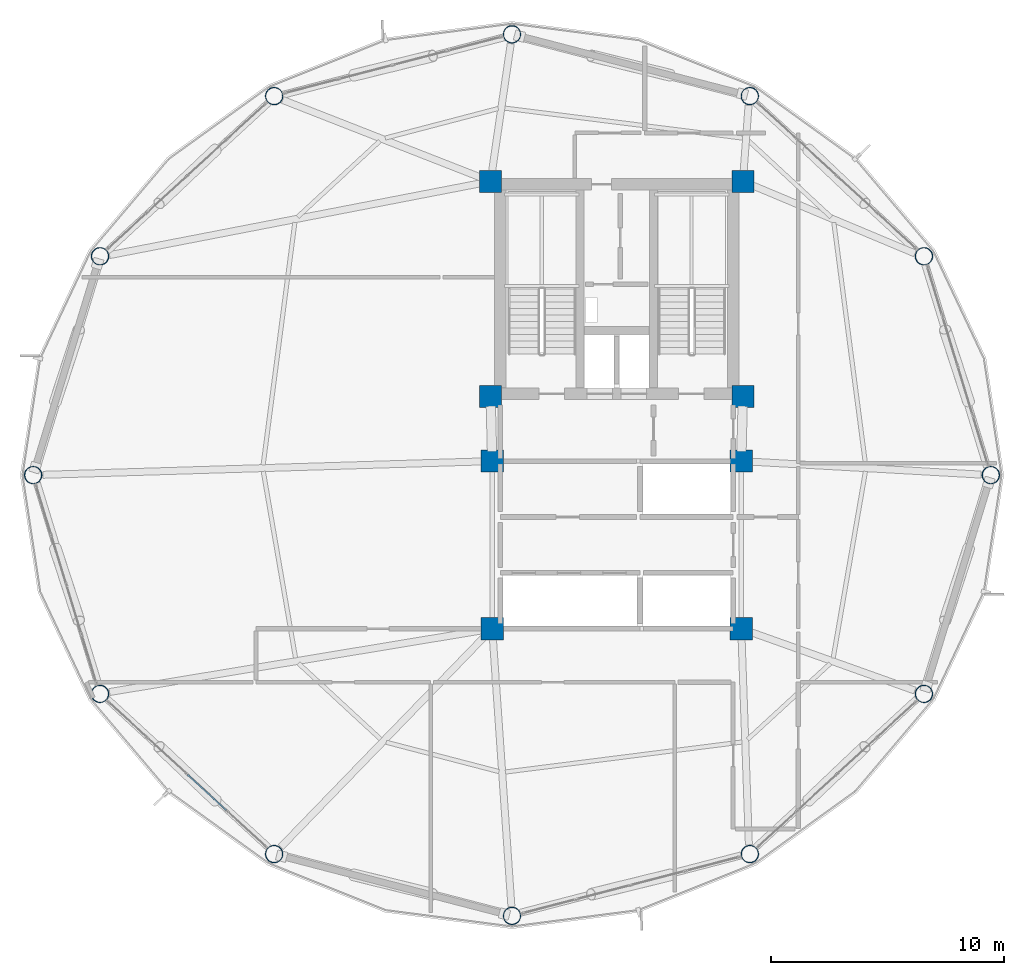
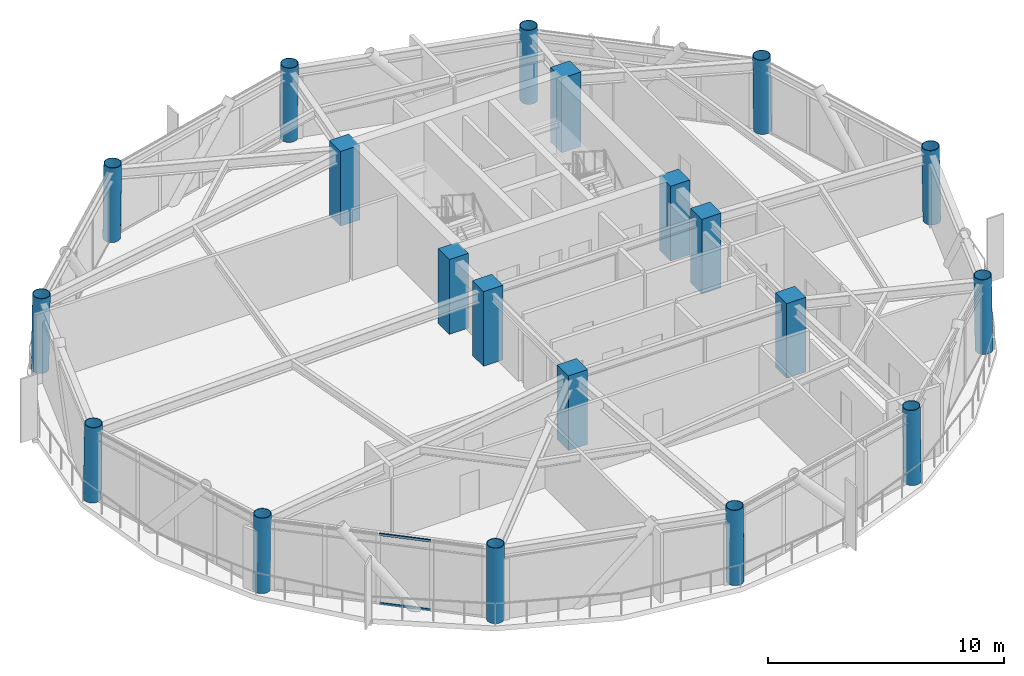
# One storey, part 1 of 24: 20 columns, 2 members, 1 element without a shape of its own.
"""IFC4 building model written with IfcOpenShell, lengths in metres."""

from ifc_helpers import new_model, si_unit, direction, frame, origin, origin_2d, place, context, subcontext, project, spatial, rectangle, hollow_rectangle, hollow_circle, extrude, material, layer, layer_set, material_profile, profile_set, type_object, element, aggregate, save


model = new_model("IFC4")

# Units and contexts
model_context = context("Model", 3, precision=1e-05, world=origin(), true_north=direction((0.0, 1.0)))
body_context = subcontext(model_context, "Body", "Model", "MODEL_VIEW")
ifc_project = project(units=[si_unit("LENGTHUNIT", "METRE"), si_unit("AREAUNIT", "SQUARE_METRE"), si_unit("VOLUMEUNIT", "CUBIC_METRE"), si_unit("PLANEANGLEUNIT", "RADIAN"), si_unit("MASSUNIT", "GRAM", prefix="KILO")], contexts=[model_context])

# Site, building, storey
site_placement = place(None, origin())
site = spatial("IfcSite", under=ifc_project, at=site_placement, CompositionType="ELEMENT")
building_placement = place(site_placement, origin())
building = spatial("IfcBuilding", under=site, at=building_placement, Name="Varnakorn Sky Granary", CompositionType="ELEMENT")
storey_placement = place(building_placement, frame((0.0, 0.0, 161.699951171875)))
storey = spatial("IfcBuildingStorey", under=building, at=storey_placement, Name="L40", CompositionType="ELEMENT", Elevation=161.699951171875)

# Columns
ifc_material_1 = material(Name="Steel S460M", Category="steel")
ifc_material_profile_1 = material_profile(ifc_material_1, hollow_circle(Radius=0.381103515625, WallThickness=0.028076171875, at=origin_2d()), Name="CHS 762x28")
ifc_profile_set_1 = profile_set([ifc_material_profile_1], Name="Steel S460M")
column_type_1 = type_object("IfcColumnType", Name="COL-DC-Z3", PredefinedType="COLUMN", material=ifc_profile_set_1)
for number, where, z_axis, x_axis, name in (
    (1, (19.0830078125, 0.0, 0.0), (-0.017008627934, 0.0, 0.999855342825), (0.0, -1.0, 0.0), "Drum Perimeter Column DC01 L40"),
    (2, (16.20849609375, 9.405029296875, 0.0), (-0.014741072013, -0.006047619287, 0.999873055491), (0.379556356256, -0.925168618375, 0.0), "Drum Perimeter Column DC02 L40"),
):
    element("IfcColumn", number, at=place(storey_placement, frame(where, z_axis=z_axis, x_axis=x_axis)), inside=storey, type_object=column_type_1, Name=name, PredefinedType="COLUMN", context=body_context, shape_type="SweptSolid", body=[
        extrude(hollow_circle(Radius=0.381103515625, WallThickness=0.028076171875, at=origin_2d()), origin(), (0.0, 0.0, 1.0), 3.87548828125),
    ])
for number, where, z_axis, x_axis, name in (
    (3, (8.72412109375, 16.289794921875, 0.0), (-0.008567765313, -0.010457713544, 0.999908610636), (0.773541895, -0.633745166988, 0.0), "Drum Perimeter Column DC03 L40"),
    (4, (-1.5, 18.945068359375, 0.0), (0.0, -0.012158879352, 0.999926078094), (1.0, 0.0, 0.0), "Drum Perimeter Column DC04 L40"),
    (5, (-11.72412109375, 16.289794921875, 0.0), (0.008567765313, -0.010457713544, 0.999908610636), (0.773541895, 0.633745166988, 0.0), "Drum Perimeter Column DC05 L40"),
):
    element("IfcColumn", number, at=place(storey_placement, frame(where, z_axis=z_axis, x_axis=x_axis)), inside=storey, type_object=column_type_1, Name=name, PredefinedType="COLUMN", context=body_context, shape_type="SweptSolid", body=[
        extrude(hollow_circle(Radius=0.381103515625, WallThickness=0.028076171875, at=origin_2d()), origin(), (0.0, 0.0, 1.0), 3.875244140625),
    ])
for number, where, z_axis, x_axis, name in (
    (6, (-19.20849609375, 9.405029296875, 0.0), (0.014741072013, -0.006047619287, 0.999873055491), (0.379556356256, 0.925168618375, 0.0), "Drum Perimeter Column DC06 L40"),
    (7, (-22.0830078125, 0.0, 0.0), (0.017008627934, 0.0, 0.999855342825), (0.0, 1.0, 0.0), "Drum Perimeter Column DC07 L40"),
    (8, (-19.20849609375, -9.405029296875, 0.0), (0.014741072013, 0.006047619287, 0.999873055491), (-0.379556356256, 0.925168618375, 0.0), "Drum Perimeter Column DC08 L40"),
):
    element("IfcColumn", number, at=place(storey_placement, frame(where, z_axis=z_axis, x_axis=x_axis)), inside=storey, type_object=column_type_1, Name=name, PredefinedType="COLUMN", context=body_context, shape_type="SweptSolid", body=[
        extrude(hollow_circle(Radius=0.381103515625, WallThickness=0.028076171875, at=origin_2d()), origin(), (0.0, 0.0, 1.0), 3.87548828125),
    ])
for number, where, z_axis, x_axis, name in (
    (9, (-11.72412109375, -16.289794921875, 0.0), (0.008567765313, 0.010457713544, 0.999908610636), (-0.773541895, 0.633745166988, 0.0), "Drum Perimeter Column DC09 L40"),
    (10, (-1.5, -18.945068359375, 0.0), (0.0, 0.012158879352, 0.999926078094), (-1.0, 0.0, 0.0), "Drum Perimeter Column DC10 L40"),
    (11, (8.72412109375, -16.289794921875, 0.0), (-0.008567765313, 0.010457713544, 0.999908610636), (-0.773541895, -0.633745166988, 0.0), "Drum Perimeter Column DC11 L40"),
):
    element("IfcColumn", number, at=place(storey_placement, frame(where, z_axis=z_axis, x_axis=x_axis)), inside=storey, type_object=column_type_1, Name=name, PredefinedType="COLUMN", context=body_context, shape_type="SweptSolid", body=[
        extrude(hollow_circle(Radius=0.381103515625, WallThickness=0.028076171875, at=origin_2d()), origin(), (0.0, 0.0, 1.0), 3.875244140625),
    ])
column_placement = place(storey_placement, frame((16.20849609375, -9.405029296875, 0.0), z_axis=(-0.014741072013, 0.006047619287, 0.999873055491), x_axis=(-0.379556356256, -0.925168618375, 0.0)))
element("IfcColumn", 12, at=column_placement, inside=storey, type_object=column_type_1, Name="Drum Perimeter Column DC12 L40", PredefinedType="COLUMN", context=body_context, shape_type="SweptSolid", body=[
    extrude(hollow_circle(Radius=0.381103515625, WallThickness=0.028076171875, at=origin_2d()), origin(), (0.0, 0.0, 1.0), 3.87548828125),
])
ifc_material_2 = material(Name="Concrete C50/60", Category="concrete")
ifc_material_profile_2 = material_profile(ifc_material_2, rectangle(XDim=0.949951171875, YDim=0.949951171875, at=origin_2d()), Name="RC 950x950")
ifc_profile_set_2 = profile_set([ifc_material_profile_2], Name="Concrete C50/60")
column_type_2 = type_object("IfcColumnType", Name="COL-MC-Z3", PredefinedType="COLUMN", material=ifc_profile_set_2)
for number, where, z_axis, x_axis, name in (
    (13, (-2.419921875, 12.6201171875, 0.0), (0.0, 0.0, 1.0), (1.0, 0.0, 0.0), "Backbone Mega-Column MC1 L40"),
    (14, (8.419921875, 12.6201171875, 0.0), (0.0, 0.0, 1.0), (1.0, 0.0, 0.0), "Backbone Mega-Column MC2 L40"),
    (15, (-2.419921875, 3.3798828125, 0.0), (0.0, 0.0, 1.0), (1.0, 0.0, 0.0), "Backbone Mega-Column MC3 L40"),
    (16, (8.419921875, 3.3798828125, 0.0), (0.0, 0.0, 1.0), (1.0, 0.0, 0.0), "Backbone Mega-Column MC4 L40"),
    (17, (-2.35009765625, 0.60009765625, 0.0), (0.0, 0.0, 1.0), (1.0, 0.0, 0.0), "Backbone Mega-Column MC5 L40"),
    (18, (8.35009765625, 0.60009765625, 0.0), (0.0, 0.0, 1.0), (1.0, 0.0, 0.0), "Backbone Mega-Column MC6 L40"),
    (19, (-2.35009765625, -6.60009765625, 0.0), (0.0, 0.0, 1.0), (1.0, 0.0, 0.0), "Backbone Mega-Column MC7 L40"),
    (20, (8.35009765625, -6.60009765625, 0.0), (0.0, 0.0, 1.0), (1.0, 0.0, 0.0), "Backbone Mega-Column MC8 L40"),
):
    element("IfcColumn", number, at=place(storey_placement, frame(where, z_axis=z_axis, x_axis=x_axis)), inside=storey, type_object=column_type_2, Name=name, PredefinedType="COLUMN", context=body_context, shape_type="SweptSolid", body=[
        extrude(rectangle(XDim=0.949951171875, YDim=0.949951171875, at=origin_2d()), origin(), (0.0, 0.0, 1.0), 3.875),
    ])

# Curtain wall, members
ifc_material_3 = material(Name="Anodised Bronze Aluminium Alloy 6063-T6", Category="aluminium")
ifc_layer = layer(ifc_material_3, 0.179931640625, Name="Anodised Bronze Aluminium Alloy 6063-T6")
ifc_layer_set = layer_set([ifc_layer], Name="Anodised Bronze Aluminium Alloy 6063-T6")
curtain_wall_type = type_object("IfcCurtainWallType", Name="CW-FRM-2", PredefinedType="USERDEFINED", material=ifc_layer_set)
curtain_wall_placement = place(storey_placement, origin())
curtain_wall = element("IfcCurtainWall", 21, at=curtain_wall_placement, inside=storey, type_object=curtain_wall_type, Name="Unitised Curtain Wall CW4 CW-L40-B08", ObjectType="CURTAIN WALL", PredefinedType="USERDEFINED")
ifc_material_profile_3 = material_profile(ifc_material_3, hollow_rectangle(XDim=0.06494140625, YDim=0.1201171875, WallThickness=0.00341796875, at=origin_2d()), Name="ALU TRAN 65x120")
ifc_profile_set_3 = profile_set([ifc_material_profile_3], Name="Anodised Bronze Aluminium Alloy 6063-T6")
member_type = type_object("IfcMemberType", Name="CW-FRM-2-TRAN", PredefinedType="USERDEFINED", material=ifc_profile_set_3)
member_1_placement = place(storey_placement, frame((-13.783203125, -14.395751953125, 0.032470703125), z_axis=(-0.735928850951, 0.677058879521, 0.0), x_axis=(-0.677058879521, -0.735928850951, 0.0)))
member_1 = element("IfcMember", 22, at=member_1_placement, type_object=member_type, Name="CW4 transom 2.1", ObjectType="TRANSOM", PredefinedType="USERDEFINED", context=body_context, shape_type="SweptSolid", body=[
    extrude(hollow_rectangle(XDim=0.06494140625, YDim=0.1201171875, WallThickness=0.00341796875, at=origin_2d()), origin(), (0.0, 0.0, 1.0), 2.251953125),
])
member_2_placement = place(storey_placement, frame((-13.783203125, -14.395751953125, 3.607666015625), z_axis=(-0.735928850951, 0.677058879521, 0.0), x_axis=(-0.677058879521, -0.735928850951, 0.0)))
member_2 = element("IfcMember", 23, at=member_2_placement, type_object=member_type, Name="CW4 transom 2.2", ObjectType="TRANSOM", PredefinedType="USERDEFINED", context=body_context, shape_type="SweptSolid", body=[
    extrude(hollow_rectangle(XDim=0.06494140625, YDim=0.1201171875, WallThickness=0.00341796875, at=origin_2d()), origin(), (0.0, 0.0, 1.0), 2.251953125),
])
aggregate(curtain_wall, [member_1, member_2])

save(model, "model.ifc")
